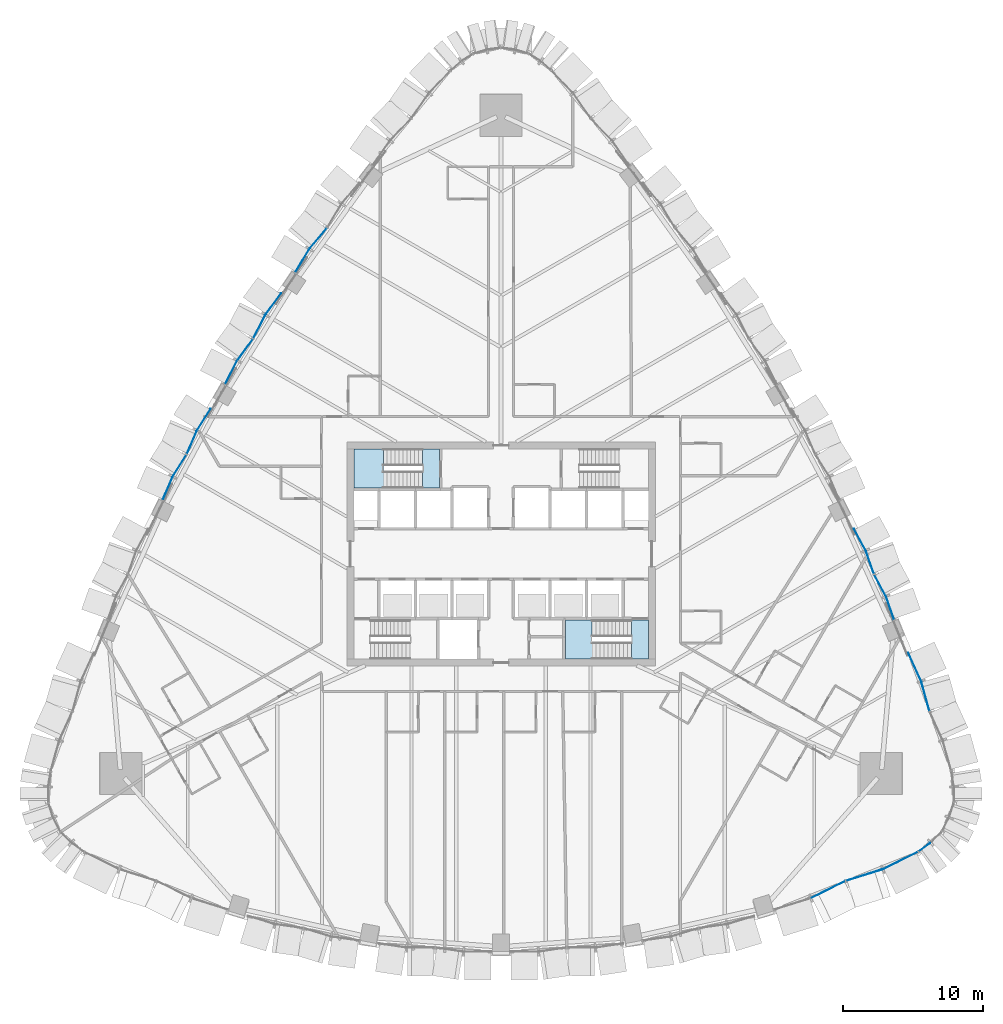
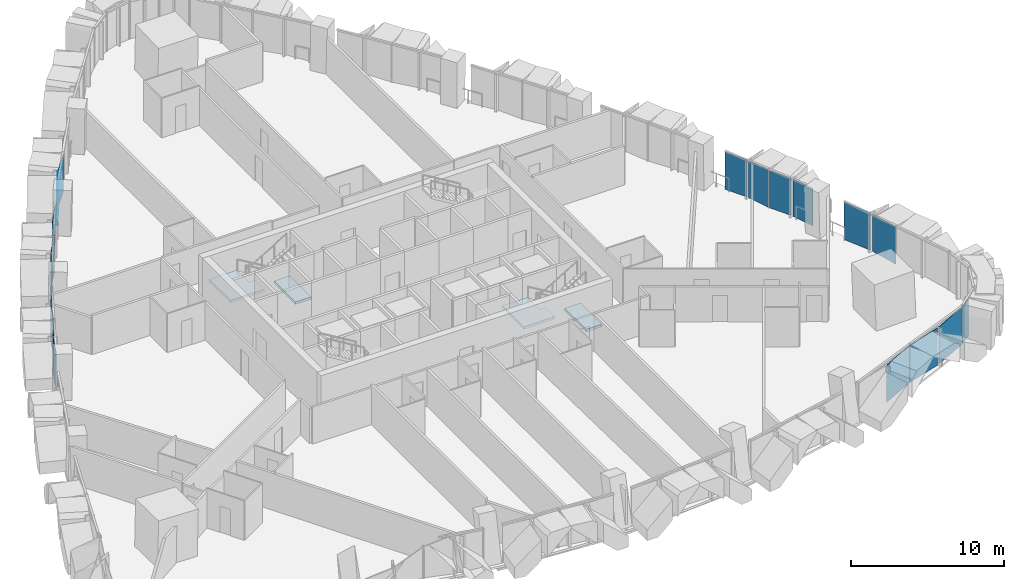
# One storey, part 11 of 23: 20 plates, 4 slabs, 9 elements without a shape of their own.
"""IFC4 building model written with IfcOpenShell, lengths in metres."""

from ifc_helpers import new_model, si_unit, direction, frame, origin, place, context, subcontext, project, spatial, polyline, outline, extrude, material, layer, layer_set, type_object, element, aggregate, save


model = new_model("IFC4")

# Units and contexts
model_context = context("Model", 3, precision=1e-05, world=origin(), true_north=direction((0.0, 1.0)))
body_context = subcontext(model_context, "Body", "Model", "MODEL_VIEW")
ifc_project = project(units=[si_unit("LENGTHUNIT", "METRE"), si_unit("AREAUNIT", "SQUARE_METRE"), si_unit("VOLUMEUNIT", "CUBIC_METRE"), si_unit("PLANEANGLEUNIT", "RADIAN"), si_unit("MASSUNIT", "GRAM", prefix="KILO")], contexts=[model_context])

# Site, building, storey
site_placement = place(None, origin())
site = spatial("IfcSite", under=ifc_project, at=site_placement, CompositionType="ELEMENT")
building_placement = place(site_placement, origin())
building = spatial("IfcBuilding", under=site, at=building_placement, Name="Sierra Prisma Convention Tower", CompositionType="ELEMENT")
storey_placement = place(building_placement, frame((0.0, 0.0, 51.699951171875)))
storey = spatial("IfcBuildingStorey", under=building, at=storey_placement, Name="L08", CompositionType="ELEMENT", Elevation=51.699951171875)

# Curtain wall, plates
ifc_material_1 = material(Name="Aluminium and glass curtain wall", Category="aluminium")
ifc_layer_1 = layer(ifc_material_1, 0.179931640625)
ifc_layer_set_1 = layer_set([ifc_layer_1], Name="CW-2 Faceted crystal curtain wall")
curtain_wall_type = type_object("IfcCurtainWallType", Name="CW-2 Faceted crystal curtain wall", PredefinedType="NOTDEFINED", material=ifc_layer_set_1)
curtain_wall_1_placement = place(storey_placement, origin())
curtain_wall_1 = element("IfcCurtainWall", 1, at=curtain_wall_1_placement, inside=storey, type_object=curtain_wall_type, Name="CW-2 S6 L08", PredefinedType="NOTDEFINED")
ifc_material_2 = material(Name="Tinted glass bronze-grey IGU", Category="glass")
ifc_layer_2 = layer(ifc_material_2, 0.028076171875)
ifc_layer_set_2 = layer_set([ifc_layer_2], Name="CW-2 crystal pane")
plate_type = type_object("IfcPlateType", Name="CW-2 crystal pane", PredefinedType="CURTAIN_PANEL", material=ifc_layer_set_2)
plate_1_placement = place(storey_placement, frame((24.557861328125, -23.340087890625, 0.0), z_axis=(0.443663695441, -0.896193352658, 0.0), x_axis=(-0.896193352658, -0.443663695441, 0.0)))
plate_1 = element("IfcPlate", 2, at=plate_1_placement, type_object=plate_type, Name="CW-2 pane S6.1.2", PredefinedType="CURTAIN_PANEL", context=body_context, shape_type="SweptSolid", body=[
    extrude(outline(polyline([(0.0, 0.0), (2.671074072382372, 0.0), (2.671074072382372, -2.97998046875), (0.0, -2.97998046875), (0.0, 0.0)])), origin(), (0.0, 0.0, -1.0), 0.028076171875),
])
plate_2_placement = place(storey_placement, frame((24.622802734375, -23.31396484375, 0.0), z_axis=(0.298072008533, -0.954543387033, 0.0), x_axis=(0.954543387033, 0.298072008533, 0.0)))
plate_2 = element("IfcPlate", 3, at=plate_2_placement, type_object=plate_type, Name="CW-2 pane S6.2.1", PredefinedType="CURTAIN_PANEL", context=body_context, shape_type="SweptSolid", body=[
    extrude(outline(polyline([(0.0, 0.0), (2.670973977201027, 0.0), (2.670973977201027, 2.97998046875), (0.0, 2.97998046875), (0.0, 0.0)])), origin(), (0.0, 0.0, -1.0), 0.028076171875),
])
plate_3_placement = place(storey_placement, frame((29.6865234375, -21.284423828125, 0.0), z_axis=(0.443663695441, -0.896193352658, 0.0), x_axis=(-0.896193352658, -0.443663695441, 0.0)))
plate_3 = element("IfcPlate", 4, at=plate_3_placement, type_object=plate_type, Name="CW-2 pane S6.2.2", PredefinedType="CURTAIN_PANEL", context=body_context, shape_type="SweptSolid", body=[
    extrude(outline(polyline([(0.0, 0.0), (2.671074072382372, 0.0), (2.671074072382372, -2.97998046875), (0.0, -2.97998046875), (0.0, 0.0)])), origin(), (0.0, 0.0, -1.0), 0.028076171875),
])
aggregate(curtain_wall_1, [plate_1, plate_2, plate_3])

# Curtain wall, plate
curtain_wall_2_placement = place(storey_placement, origin())
curtain_wall_2 = element("IfcCurtainWall", 5, at=curtain_wall_2_placement, inside=storey, type_object=curtain_wall_type, Name="CW-2 SE1 L08", PredefinedType="NOTDEFINED")
plate_4_placement = place(storey_placement, frame((29.8046875, -21.212890625, 0.0), z_axis=(0.58866952219, -0.808373795744, 0.0), x_axis=(0.808373795744, 0.58866952219, 0.0)))
plate_4 = element("IfcPlate", 6, at=plate_4_placement, type_object=plate_type, Name="CW-2 pane SE1.1.1", PredefinedType="CURTAIN_PANEL", context=body_context, shape_type="SweptSolid", body=[
    extrude(outline(polyline([(0.0, 0.0), (0.9912116590976436, 0.0), (0.9912116590976436, 2.97998046875), (0.0, 2.97998046875), (0.0, 0.0)])), origin(), (0.0, 0.0, -1.0), 0.028076171875),
])
aggregate(curtain_wall_2, [plate_4])

# Curtain wall, plates
curtain_wall_3_placement = place(storey_placement, origin())
curtain_wall_3 = element("IfcCurtainWall", 7, at=curtain_wall_3_placement, inside=storey, type_object=curtain_wall_type, Name="CW-2 NE1 L08", PredefinedType="NOTDEFINED")
plate_5_placement = place(storey_placement, frame((30.571044921875, -11.196533203125, 0.0), z_axis=(0.963438269611, 0.267930402623, 0.0), x_axis=(-0.267930402623, 0.963438269611, 0.0)))
plate_5 = element("IfcPlate", 8, at=plate_5_placement, type_object=plate_type, Name="CW-2 pane NE1.2.1", PredefinedType="CURTAIN_PANEL", context=body_context, shape_type="SweptSolid", body=[
    extrude(outline(polyline([(0.0, 0.0), (2.1531871382518215, 0.0), (2.1531871382518215, 2.97998046875), (0.0, 2.97998046875), (0.0, 0.0)])), origin(), (0.0, 0.0, -1.0), 0.028076171875),
])
plate_6_placement = place(storey_placement, frame((29.055419921875, -7.04150390625, 0.0), z_axis=(0.909674035522, 0.415322945546, 0.0), x_axis=(0.415322945546, -0.909674035522, 0.0)))
plate_6 = element("IfcPlate", 9, at=plate_6_placement, type_object=plate_type, Name="CW-2 pane NE1.2.2", PredefinedType="CURTAIN_PANEL", context=body_context, shape_type="SweptSolid", body=[
    extrude(outline(polyline([(0.0, 0.0), (2.153233089972779, 0.0), (2.153233089972779, -2.97998046875), (0.0, -2.97998046875), (0.0, 0.0)])), origin(), (0.0, 0.0, -1.0), 0.028076171875),
])
aggregate(curtain_wall_3, [plate_5, plate_6])

curtain_wall_4_placement = place(storey_placement, origin())
curtain_wall_4 = element("IfcCurtainWall", 10, at=curtain_wall_4_placement, inside=storey, type_object=curtain_wall_type, Name="CW-2 NE2 L08", PredefinedType="NOTDEFINED")
plate_7_placement = place(storey_placement, frame((28.053955078125, -4.6708984375, 0.0), z_axis=(0.943197794884, 0.332231725946, 0.0), x_axis=(-0.332231725946, 0.943197794884, 0.0)))
plate_7 = element("IfcPlate", 11, at=plate_7_placement, type_object=plate_type, Name="CW-2 pane NE2.1.1", PredefinedType="CURTAIN_PANEL", context=body_context, shape_type="SweptSolid", body=[
    extrude(outline(polyline([(0.0, 0.0), (1.6930953791306043, 0.0), (1.6930953791306043, 2.97998046875), (0.0, 2.97998046875), (0.0, 0.0)])), origin(), (0.0, 0.0, -1.0), 0.028076171875),
])
plate_8_placement = place(storey_placement, frame((26.63330078125, -1.466064453125, 0.0), z_axis=(0.879603786074, 0.47570703119, 0.0), x_axis=(0.47570703119, -0.879603786074, 0.0)))
plate_8 = element("IfcPlate", 12, at=plate_8_placement, type_object=plate_type, Name="CW-2 pane NE2.1.2", PredefinedType="CURTAIN_PANEL", context=body_context, shape_type="SweptSolid", body=[
    extrude(outline(polyline([(0.0, 0.0), (1.693100730212298, 0.0), (1.693100730212298, -2.97998046875), (0.0, -2.97998046875), (0.0, 0.0)])), origin(), (0.0, 0.0, -1.0), 0.028076171875),
])
plate_9_placement = place(storey_placement, frame((26.60498046875, -1.402099609375, 0.0), z_axis=(0.943152602471, 0.332359998272, 0.0), x_axis=(-0.332359998272, 0.943152602471, 0.0)))
plate_9 = element("IfcPlate", 13, at=plate_9_placement, type_object=plate_type, Name="CW-2 pane NE2.2.1", PredefinedType="CURTAIN_PANEL", context=body_context, shape_type="SweptSolid", body=[
    extrude(outline(polyline([(0.0, 0.0), (1.6931765060504396, 0.0), (1.6931765060504396, 2.97998046875), (0.0, 2.97998046875), (0.0, 0.0)])), origin(), (0.0, 0.0, -1.0), 0.028076171875),
])
plate_10_placement = place(storey_placement, frame((25.18408203125, 1.802490234375, 0.0), z_axis=(0.879543446111, 0.475818585601, 0.0), x_axis=(0.475818585601, -0.879543446111, 0.0)))
plate_10 = element("IfcPlate", 14, at=plate_10_placement, type_object=plate_type, Name="CW-2 pane NE2.2.2", PredefinedType="CURTAIN_PANEL", context=body_context, shape_type="SweptSolid", body=[
    extrude(outline(polyline([(0.0, 0.0), (1.6932168832421584, 0.0), (1.6932168832421584, -2.9799804687500004), (0.0, -2.9799804687500004), (0.0, 0.0)])), origin(), (0.0, 0.0, -1.0), 0.028076171875),
])
aggregate(curtain_wall_4, [plate_7, plate_8, plate_9, plate_10])

curtain_wall_5_placement = place(storey_placement, origin())
curtain_wall_5 = element("IfcCurtainWall", 15, at=curtain_wall_5_placement, inside=storey, type_object=curtain_wall_type, Name="CW-2 NW2 L08", PredefinedType="NOTDEFINED")
plate_11_placement = place(storey_placement, frame((-12.428955078125, 23.26513671875, 0.0), z_axis=(-0.765862797781, 0.643004024074, 0.0), x_axis=(-0.643004024074, -0.765862797781, 0.0)))
plate_11 = element("IfcPlate", 16, at=plate_11_placement, type_object=plate_type, Name="CW-2 pane NW2.2.1", PredefinedType="CURTAIN_PANEL", context=body_context, shape_type="SweptSolid", body=[
    extrude(outline(polyline([(0.0, 0.0), (1.887806517615688, 0.0), (1.887806517615688, 2.97998046875), (0.0, 2.97998046875), (0.0, 0.0)])), origin(), (0.0, 0.0, -1.0), 0.028076171875),
])
plate_12_placement = place(storey_placement, frame((-14.69091796875, 20.095947265625, 0.0), z_axis=(-0.857047569166, 0.515237289204, 0.0), x_axis=(0.515237289204, 0.857047569166, 0.0)))
plate_12 = element("IfcPlate", 17, at=plate_12_placement, type_object=plate_type, Name="CW-2 pane NW2.2.2", PredefinedType="CURTAIN_PANEL", context=body_context, shape_type="SweptSolid", body=[
    extrude(outline(polyline([(0.0, 0.0), (1.8877831057258851, 0.0), (1.8877831057258851, -2.97998046875), (0.0, -2.97998046875), (0.0, 0.0)])), origin(), (0.0, 0.0, -1.0), 0.028076171875),
])
aggregate(curtain_wall_5, [plate_11, plate_12])

curtain_wall_6_placement = place(storey_placement, origin())
curtain_wall_6 = element("IfcCurtainWall", 18, at=curtain_wall_6_placement, inside=storey, type_object=curtain_wall_type, Name="CW-2 NW3 L08", PredefinedType="NOTDEFINED")
plate_13_placement = place(storey_placement, frame((-15.697998046875, 18.607177734375, 0.0), z_axis=(-0.80753303569, 0.589822342972, 0.0), x_axis=(-0.589822342972, -0.80753303569, 0.0)))
plate_13 = element("IfcPlate", 19, at=plate_13_placement, type_object=plate_type, Name="CW-2 pane NW3.1.1", PredefinedType="CURTAIN_PANEL", context=body_context, shape_type="SweptSolid", body=[
    extrude(outline(polyline([(0.0, 0.0), (1.8278809082879068, 0.0), (1.8278809082879068, 2.97998046875), (0.0, 2.97998046875), (0.0, 0.0)])), origin(), (0.0, 0.0, -1.0), 0.028076171875),
])
plate_14_placement = place(storey_placement, frame((-17.67822265625, 15.394287109375, 0.0), z_axis=(-0.889839711742, 0.456273259578, 0.0), x_axis=(0.456273259578, 0.889839711742, 0.0)))
plate_14 = element("IfcPlate", 20, at=plate_14_placement, type_object=plate_type, Name="CW-2 pane NW3.1.2", PredefinedType="CURTAIN_PANEL", context=body_context, shape_type="SweptSolid", body=[
    extrude(outline(polyline([(0.0, 0.0), (1.827817776940265, 0.0), (1.827817776940265, -2.97998046875), (0.0, -2.97998046875), (0.0, 0.0)])), origin(), (0.0, 0.0, -1.0), 0.028076171875),
])
plate_15_placement = place(storey_placement, frame((-17.715087890625, 15.334716796875, 0.0), z_axis=(-0.80753303569, 0.589822342972, 0.0), x_axis=(-0.589822342972, -0.80753303569, 0.0)))
plate_15 = element("IfcPlate", 21, at=plate_15_placement, type_object=plate_type, Name="CW-2 pane NW3.2.1", PredefinedType="CURTAIN_PANEL", context=body_context, shape_type="SweptSolid", body=[
    extrude(outline(polyline([(0.0, 0.0), (1.8278809082879068, 0.0), (1.8278809082879068, 2.97998046875), (0.0, 2.97998046875), (0.0, 0.0)])), origin(), (0.0, 0.0, -1.0), 0.028076171875),
])
plate_16_placement = place(storey_placement, frame((-19.6953125, 12.12158203125, 0.0), z_axis=(-0.889867513981, 0.456219034633, 0.0), x_axis=(0.456219034633, 0.889867513981, 0.0)))
plate_16 = element("IfcPlate", 22, at=plate_16_placement, type_object=plate_type, Name="CW-2 pane NW3.2.2", PredefinedType="CURTAIN_PANEL", context=body_context, shape_type="SweptSolid", body=[
    extrude(outline(polyline([(0.0, 0.0), (1.8280350263576695, 0.0), (1.8280350263576695, -2.9799804687500004), (0.0, -2.9799804687500004), (0.0, 0.0)])), origin(), (0.0, 0.0, -1.0), 0.028076171875),
])
aggregate(curtain_wall_6, [plate_13, plate_14, plate_15, plate_16])

curtain_wall_7_placement = place(storey_placement, origin())
curtain_wall_7 = element("IfcCurtainWall", 23, at=curtain_wall_7_placement, inside=storey, type_object=curtain_wall_type, Name="CW-2 NW4 L08", PredefinedType="NOTDEFINED")
plate_17_placement = place(storey_placement, frame((-20.724853515625, 10.364990234375, 0.0), z_axis=(-0.8454163714, 0.534107815866, 0.0), x_axis=(-0.534107815866, -0.8454163714, 0.0)))
plate_17 = element("IfcPlate", 24, at=plate_17_placement, type_object=plate_type, Name="CW-2 pane NW4.1.1", PredefinedType="CURTAIN_PANEL", context=body_context, shape_type="SweptSolid", body=[
    extrude(outline(polyline([(0.0, 0.0), (1.7598345845690062, 0.0), (1.7598345845690062, 2.97998046875), (0.0, 2.97998046875), (0.0, 0.0)])), origin(), (0.0, 0.0, -1.0), 0.028076171875),
])
plate_18_placement = place(storey_placement, frame((-22.420654296875, 7.14599609375, 0.0), z_axis=(-0.918569974618, 0.395258398684, 0.0), x_axis=(0.395258398684, 0.918569974618, 0.0)))
plate_18 = element("IfcPlate", 25, at=plate_18_placement, type_object=plate_type, Name="CW-2 pane NW4.1.2", PredefinedType="CURTAIN_PANEL", context=body_context, shape_type="SweptSolid", body=[
    extrude(outline(polyline([(0.0, 0.0), (1.7597517040519197, 0.0), (1.7597517040519197, -2.97998046875), (0.0, -2.97998046875), (0.0, 0.0)])), origin(), (0.0, 0.0, -1.0), 0.028076171875),
])
plate_19_placement = place(storey_placement, frame((-22.453125, 7.083984375, 0.0), z_axis=(-0.845455939907, 0.534045179433, 0.0), x_axis=(-0.534045179433, -0.845455939907, 0.0)))
plate_19 = element("IfcPlate", 26, at=plate_19_placement, type_object=plate_type, Name="CW-2 pane NW4.2.1", PredefinedType="CURTAIN_PANEL", context=body_context, shape_type="SweptSolid", body=[
    extrude(outline(polyline([(0.0, 0.0), (1.760040989880728, 0.0), (1.760040989880728, 2.97998046875), (0.0, 2.97998046875), (0.0, 0.0)])), origin(), (0.0, 0.0, -1.0), 0.028076171875),
])
plate_20_placement = place(storey_placement, frame((-24.14892578125, 3.86474609375, 0.0), z_axis=(-0.918591645064, 0.395208033342, 0.0), x_axis=(0.395208033342, 0.918591645064, 0.0)))
plate_20 = element("IfcPlate", 27, at=plate_20_placement, type_object=plate_type, Name="CW-2 pane NW4.2.2", PredefinedType="CURTAIN_PANEL", context=body_context, shape_type="SweptSolid", body=[
    extrude(outline(polyline([(0.0, 0.0), (1.759975966945116, 0.0), (1.759975966945116, -2.97998046875), (0.0, -2.97998046875), (0.0, 0.0)])), origin(), (0.0, 0.0, -1.0), 0.028076171875),
])
aggregate(curtain_wall_7, [plate_17, plate_18, plate_19, plate_20])

# Stair, slab
ifc_material_3 = material(Name="Concrete C30/37", Category="concrete")
stair_type = type_object("IfcStairType", Name="Stair dog-leg 1200 RC", PredefinedType="HALF_TURN_STAIR", material=ifc_material_3)
stair_1_placement = place(storey_placement, origin())
stair_1 = element("IfcStair", 28, at=stair_1_placement, inside=storey, type_object=stair_type, Name="L08 S2", PredefinedType="HALF_TURN_STAIR")
ifc_material_4 = material(Name="Concrete C35/45", Category="concrete")
ifc_layer_3 = layer(ifc_material_4, 0.199951171875)
ifc_layer_set_3 = layer_set([ifc_layer_3], Name="Stair landing slab")
slab_type = type_object("IfcSlabType", Name="Stair landing slab", PredefinedType="LANDING", material=ifc_layer_set_3)
slab_1_placement = place(storey_placement, frame((0.0, 0.0, 1.650146484375)))
slab_1 = element("IfcSlab", 29, at=slab_1_placement, type_object=slab_type, Name="S2 landing 1", PredefinedType="LANDING", context=body_context, shape_type="SweptSolid", body=[
    extrude(outline(polyline([(6.949951171875, -6.300048828125), (6.949951171875, -7.5), (4.60009765625, -7.5), (4.60009765625, -4.699951171875), (6.501953125, -4.699951171875), (6.501953125, -6.300048828125), (6.949951171875, -6.300048828125)])), origin(), (0.0, 0.0, 1.0), 0.199951171875),
])
aggregate(stair_1, [slab_1])

# Slab
slab_2_placement = place(storey_placement, frame((0.0, 0.0, -0.199951171875)))
element("IfcSlab", 30, at=slab_2_placement, inside=storey, type_object=slab_type, Name="S2 floor landing L08", PredefinedType="LANDING", context=body_context, shape_type="SweptSolid", body=[
    extrude(outline(polyline([(10.5, -4.699951171875), (9.298095703125, -4.699951171875), (9.298095703125, -7.5), (10.5, -7.5), (10.5, -4.699951171875)])), origin(), (0.0, 0.0, 1.0), 0.199951171875),
])

# Stair, slab
stair_2_placement = place(storey_placement, origin())
stair_2 = element("IfcStair", 31, at=stair_2_placement, inside=storey, type_object=stair_type, Name="L08 S3", PredefinedType="HALF_TURN_STAIR")
slab_3_placement = place(storey_placement, frame((0.0, 0.0, 1.650146484375)))
slab_3 = element("IfcSlab", 32, at=slab_3_placement, type_object=slab_type, Name="S3 landing 1", PredefinedType="LANDING", context=body_context, shape_type="SweptSolid", body=[
    extrude(outline(polyline([(-7.949951171875, 5.89990234375), (-7.949951171875, 4.699951171875), (-10.5, 4.699951171875), (-10.5, 7.5), (-8.39794921875, 7.5), (-8.39794921875, 5.89990234375), (-7.949951171875, 5.89990234375)])), origin(), (0.0, 0.0, 1.0), 0.199951171875),
])
aggregate(stair_2, [slab_3])

# Slab
slab_4_placement = place(storey_placement, frame((0.0, 0.0, -0.199951171875)))
element("IfcSlab", 33, at=slab_4_placement, inside=storey, type_object=slab_type, Name="S3 floor landing L08", PredefinedType="LANDING", context=body_context, shape_type="SweptSolid", body=[
    extrude(outline(polyline([(-4.39990234375, 7.5), (-5.60205078125, 7.5), (-5.60205078125, 4.699951171875), (-4.39990234375, 4.699951171875), (-4.39990234375, 7.5)])), origin(), (0.0, 0.0, 1.0), 0.199951171875),
])

save(model, "model.ifc")
